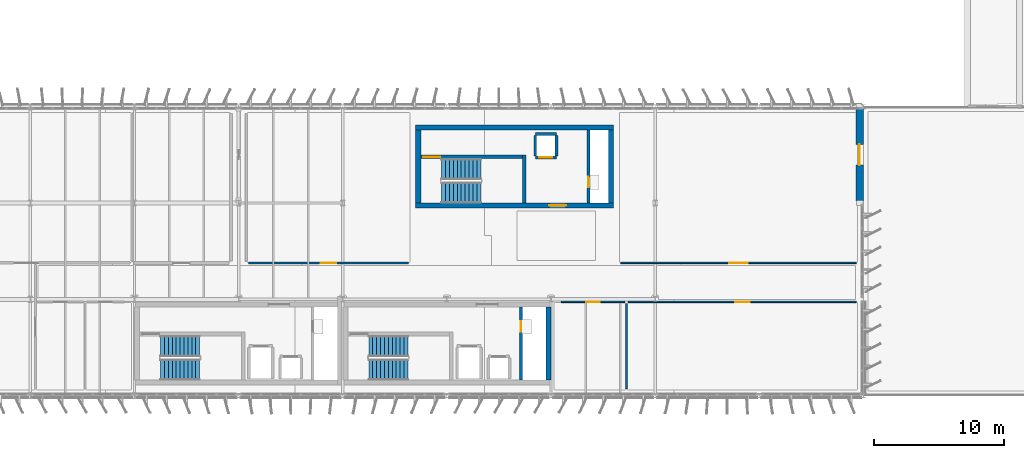
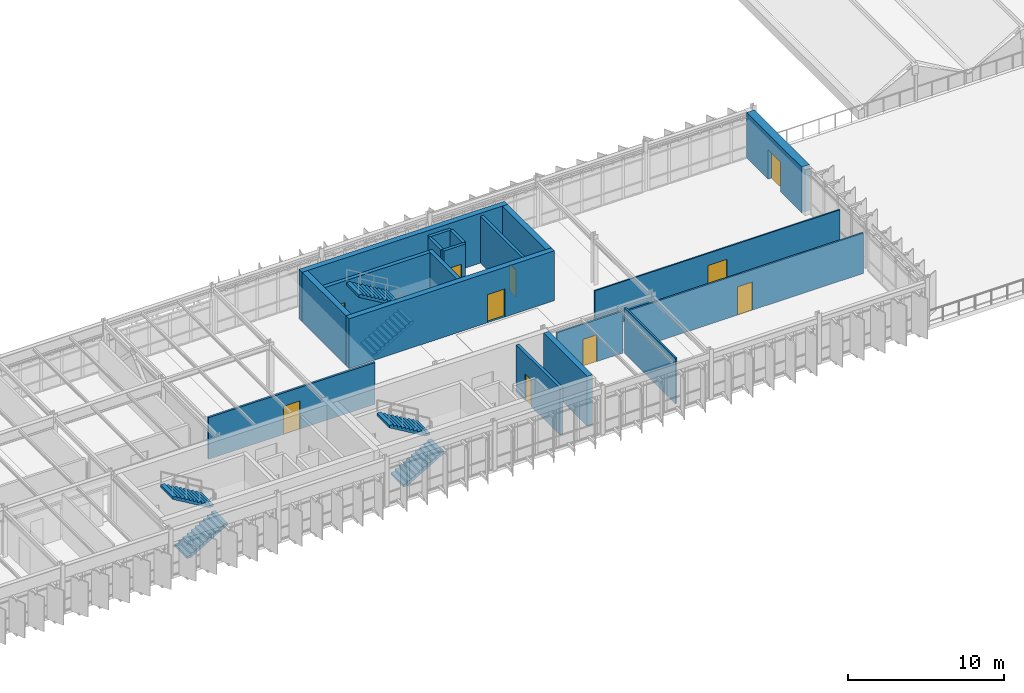
# One storey, part 28 of 35: 19 walls, 10 doors, 6 stair flights, 10 openings, 3 elements without a shape of their own.
"""IFC4 building model written with IfcOpenShell, lengths in metres."""

from ifc_helpers import new_model, si_unit, direction, frame, frame_2d, origin, place, context, subcontext, project, spatial, polyline, rectangle, outline, extrude, material, layer, layer_set, type_object, element, fill, aggregate, save


model = new_model("IFC4")

# Units and contexts
model_context = context("Model", 3, precision=1e-05, world=origin(), true_north=direction((0.0, 1.0)))
body_context = subcontext(model_context, "Body", "Model", "MODEL_VIEW")
ifc_project = project(units=[si_unit("LENGTHUNIT", "METRE"), si_unit("AREAUNIT", "SQUARE_METRE"), si_unit("VOLUMEUNIT", "CUBIC_METRE"), si_unit("PLANEANGLEUNIT", "RADIAN"), si_unit("MASSUNIT", "GRAM", prefix="KILO")], contexts=[model_context])

# Site, building, storey
site_placement = place(None, origin())
site = spatial("IfcSite", under=ifc_project, at=site_placement, CompositionType="ELEMENT")
building_placement = place(site_placement, origin())
building = spatial("IfcBuilding", under=site, at=building_placement, Name="Valkorina Park Police Headquarters", CompositionType="ELEMENT")
storey_placement = place(building_placement, frame((0.0, 0.0, 27.199951171875)))
storey = spatial("IfcBuildingStorey", under=building, at=storey_placement, Name="L07", CompositionType="ELEMENT", Elevation=27.199951171875)

# Wall, opening, door
ifc_material_1 = material(Name="Acoustic mineral board")
ifc_layer_1 = layer(ifc_material_1, 0.14990234375)
ifc_layer_set_1 = layer_set([ifc_layer_1], Name="Acoustic mineral board")
wall_type_1 = type_object("IfcWallType", Name="WL-ACOUST-150-EI30", PredefinedType="PARTITIONING", material=ifc_layer_set_1)
wall_1_placement = place(storey_placement, frame((25.5400390625, 47.199951171875, 0.0), z_axis=(0.0, 0.0, 1.0), x_axis=(1.0, 0.0, 0.0)))
wall_1 = element("IfcWall", 1, at=wall_1_placement, inside=storey, type_object=wall_type_1, Name="L07 Interior Partition 0262 (L07-TSK-03)", PredefinedType="PARTITIONING", context=body_context, shape_type="SweptSolid", body=[
    extrude(rectangle(XDim=12.320068359375, YDim=0.14990234375, at=frame_2d((6.16015625, 0.0))), origin(), (0.0, 0.0, 1.0), 3.260009765625),
])
opening_1_placement = place(wall_1_placement, frame((5.56005859375, 0.0, 0.0)))
opening_1 = element("IfcOpeningElement", 2, at=opening_1_placement, cuts=wall_1, Name="Opening ID-06", PredefinedType="OPENING", context=body_context, shape_type="SweptSolid", body=[
    extrude(rectangle(XDim=1.199951171875, YDim=2.199951171875, at=frame_2d((0.60009765625, 1.10009765625))), frame((0.0, 0.0849609375, 0.0), z_axis=(0.0, -1.0, 0.0), x_axis=(1.0, 0.0, 0.0)), (0.0, 0.0, 1.0), 0.169921875),
])
ifc_material_2 = material(Name="Thermally broken aluminium AW-6060", Category="aluminium")
ifc_layer_2 = layer(ifc_material_2, 0.050048828125)
ifc_layer_set_2 = layer_set([ifc_layer_2], Name="Thermally broken aluminium AW-6060")
door_type_1 = type_object("IfcDoorType", Name="DR-INT-LAB-1200x2200", OperationType="NOTDEFINED", PredefinedType="DOOR", material=ifc_layer_set_2)
door_1_placement = place(opening_1_placement, origin())
door_1 = element("IfcDoor", 3, at=door_1_placement, inside=storey, type_object=door_type_1, Name="Door D-L07-I127 (L07-TSK-03)", OperationType="SINGLE_SWING_RIGHT", OverallHeight=2.199951171875, OverallWidth=1.199951171875, PredefinedType="DOOR", context=body_context, shape_type="SweptSolid", body=[
    extrude(rectangle(XDim=1.199951171875, YDim=2.199951171875, at=frame_2d((0.60009765625, 1.10009765625))), frame((0.0, 0.02490234375, 0.0), z_axis=(0.0, -1.0, 0.0), x_axis=(1.0, 0.0, 0.0)), (0.0, 0.0, 1.0), 0.050048828125),
])
fill(opening_1, door_1)

ifc_material_3 = material(Name="Autoclaved aerated concrete masonry", Category="masonry")
ifc_layer_3 = layer(ifc_material_3, 0.219970703125)
ifc_layer_set_3 = layer_set([ifc_layer_3], Name="Autoclaved aerated concrete masonry")
wall_type_2 = type_object("IfcWallType", Name="WL-CHASE-220-EI60", PredefinedType="PLUMBINGWALL", material=ifc_layer_set_3)
wall_2_placement = place(storey_placement, frame((46.489990234375, 38.199951171875, 0.0), z_axis=(0.0, 0.0, 1.0), x_axis=(0.0, 1.0, 0.0)))
wall_2 = element("IfcWall", 4, at=wall_2_placement, inside=storey, type_object=wall_type_2, Name="Core C2 L07 Riser Shaft West Wall", PredefinedType="PLUMBINGWALL", context=body_context, shape_type="SweptSolid", body=[
    extrude(rectangle(XDim=5.60009765625, YDim=0.219970703125, at=frame_2d((2.800048828125, 0.0))), origin(), (0.0, 0.0, 1.0), 3.679931640625),
])
opening_2_placement = place(wall_2_placement, frame((3.699951171875, 0.0, 0.0)))
opening_2 = element("IfcOpeningElement", 5, at=opening_2_placement, cuts=wall_2, Name="Opening ID-01", PredefinedType="OPENING", context=body_context, shape_type="SweptSolid", body=[
    extrude(rectangle(XDim=0.800048828125, YDim=2.10009765625, at=frame_2d((0.39990234375, 1.050048828125))), frame((0.0, 0.1201171875, 0.0), z_axis=(0.0, -1.0, 0.0), x_axis=(1.0, 0.0, 0.0)), (0.0, 0.0, 1.0), 0.239990234375),
])
ifc_material_4 = material(Name="Galvanized steel door leaf", Category="steel")
ifc_layer_4 = layer(ifc_material_4, 0.050048828125)
ifc_layer_set_4 = layer_set([ifc_layer_4], Name="Galvanized steel door leaf")
door_type_2 = type_object("IfcDoorType", Name="DR-INT-RISER-800x2100", OperationType="NOTDEFINED", PredefinedType="DOOR", material=ifc_layer_set_4)
door_2_placement = place(opening_2_placement, origin())
door_2 = element("IfcDoor", 6, at=door_2_placement, inside=storey, type_object=door_type_2, Name="Riser Shaft Access Door C2-L07", OperationType="SINGLE_SWING_LEFT", OverallHeight=2.10009765625, OverallWidth=0.800048828125, PredefinedType="DOOR", context=body_context, shape_type="SweptSolid", body=[
    extrude(rectangle(XDim=0.800048828125, YDim=2.10009765625, at=frame_2d((0.39990234375, 1.050048828125))), frame((0.0, 0.02490234375, 0.0), z_axis=(0.0, -1.0, 0.0), x_axis=(1.0, 0.0, 0.0)), (0.0, 0.0, 1.0), 0.050048828125),
])
fill(opening_2, door_2)

wall_3_placement = place(storey_placement, frame((47.590087890625, 55.2900390625, 0.0), z_axis=(0.0, 0.0, 1.0), x_axis=(1.0, 0.0, 0.0)))
wall_3 = element("IfcWall", 7, at=wall_3_placement, inside=storey, type_object=wall_type_2, Name="Lift LF-05 L07 Shaft Front Wall", PredefinedType="PLUMBINGWALL", context=body_context, shape_type="SweptSolid", body=[
    extrude(rectangle(XDim=1.619873046875, YDim=0.219970703125, at=frame_2d((0.81005859375, 0.0))), origin(), (0.0, 0.0, 1.0), 3.679931640625),
])
opening_3_placement = place(wall_3_placement, frame((0.31005859375, 0.0, 0.0)))
opening_3 = element("IfcOpeningElement", 8, at=opening_3_placement, cuts=wall_3, Name="Opening LD-02", PredefinedType="OPENING", context=body_context, shape_type="SweptSolid", body=[
    extrude(rectangle(XDim=1.0, YDim=2.199951171875, at=frame_2d((0.5, 1.10009765625))), frame((0.0, 0.1201171875, 0.0), z_axis=(0.0, -1.0, 0.0), x_axis=(1.0, 0.0, 0.0)), (0.0, 0.0, 1.0), 0.239990234375),
])
ifc_material_5 = material(Name="Stainless steel EN 1.4404", Category="steel")
ifc_layer_5 = layer(ifc_material_5, 0.050048828125)
ifc_layer_set_5 = layer_set([ifc_layer_5], Name="Stainless steel EN 1.4404")
door_type_3 = type_object("IfcDoorType", Name="DR-LIFT-PAX-1000x2200", OperationType="NOTDEFINED", PredefinedType="DOOR", material=ifc_layer_set_5)
door_3_placement = place(opening_3_placement, origin())
door_3 = element("IfcDoor", 9, at=door_3_placement, inside=storey, type_object=door_type_3, Name="Lift Landing Door LF-05-L07", OperationType="DOUBLE_DOOR_SLIDING", OverallHeight=2.199951171875, OverallWidth=1.0, PredefinedType="DOOR", context=body_context, shape_type="SweptSolid", body=[
    extrude(rectangle(XDim=1.0, YDim=2.199951171875, at=frame_2d((0.5, 1.10009765625))), frame((0.0, 0.02490234375, 0.0), z_axis=(0.0, -1.0, 0.0), x_axis=(1.0, 0.0, 0.0)), (0.0, 0.0, 1.0), 0.050048828125),
])
fill(opening_3, door_3)

# Walls
wall_4_placement = place(storey_placement, frame((47.590087890625, 57.110107421875, 0.0), z_axis=(0.0, 0.0, 1.0), x_axis=(1.0, 0.0, 0.0)))
element("IfcWall", 10, at=wall_4_placement, inside=storey, type_object=wall_type_2, Name="Lift LF-05 L07 Shaft Back Wall", PredefinedType="PLUMBINGWALL", context=body_context, shape_type="SweptSolid", body=[
    extrude(rectangle(XDim=1.619873046875, YDim=0.219970703125, at=frame_2d((0.81005859375, 0.0))), origin(), (0.0, 0.0, 1.0), 3.679931640625),
])
for number, where, z_axis, x_axis, name in (
    (11, (47.590087890625, 55.39990234375, 0.0), (0.0, 0.0, 1.0), (0.0, 1.0, 0.0), "Lift LF-05 L07 Shaft Side Wall W"),
    (12, (49.2099609375, 55.39990234375, 0.0), (0.0, 0.0, 1.0), (0.0, 1.0, 0.0), "Lift LF-05 L07 Shaft Side Wall E"),
):
    element("IfcWall", number, at=place(storey_placement, frame(where, z_axis=z_axis, x_axis=x_axis)), inside=storey, type_object=wall_type_2, Name=name, PredefinedType="PLUMBINGWALL", context=body_context, shape_type="SweptSolid", body=[
        extrude(rectangle(XDim=1.60009765625, YDim=0.219970703125, at=frame_2d((0.800048828125, 0.0))), origin(), (0.0, 0.0, 1.0), 3.679931640625),
    ])

# Wall, opening, door
wall_5_placement = place(storey_placement, frame((51.68994140625, 51.800048828125, 0.0), z_axis=(0.0, 0.0, 1.0), x_axis=(0.0, 1.0, 0.0)))
wall_5 = element("IfcWall", 13, at=wall_5_placement, inside=storey, type_object=wall_type_2, Name="Core C3 L07 Riser Shaft West Wall", PredefinedType="PLUMBINGWALL", context=body_context, shape_type="SweptSolid", body=[
    extrude(rectangle(XDim=5.599853515625, YDim=0.219970703125, at=frame_2d((2.7998046875, 0.0))), origin(), (0.0, 0.0, 1.0), 3.679931640625),
])
opening_4_placement = place(wall_5_placement, frame((1.199951171875, 0.0, 0.0)))
opening_4 = element("IfcOpeningElement", 14, at=opening_4_placement, cuts=wall_5, Name="Opening ID-01", PredefinedType="OPENING", context=body_context, shape_type="SweptSolid", body=[
    extrude(rectangle(XDim=0.800048828125, YDim=2.10009765625, at=frame_2d((0.39990234375, 1.050048828125))), frame((0.0, 0.1201171875, 0.0), z_axis=(0.0, -1.0, 0.0), x_axis=(1.0, 0.0, 0.0)), (0.0, 0.0, 1.0), 0.239990234375),
])
door_4_placement = place(opening_4_placement, origin())
door_4 = element("IfcDoor", 15, at=door_4_placement, inside=storey, type_object=door_type_2, Name="Riser Shaft Access Door C3-L07", OperationType="SINGLE_SWING_RIGHT", OverallHeight=2.10009765625, OverallWidth=0.800048828125, PredefinedType="DOOR", context=body_context, shape_type="SweptSolid", body=[
    extrude(rectangle(XDim=0.800048828125, YDim=2.10009765625, at=frame_2d((0.39990234375, 1.050048828125))), frame((0.0, 0.02490234375, 0.0), z_axis=(0.0, -1.0, 0.0), x_axis=(1.0, 0.0, 0.0)), (0.0, 0.0, 1.0), 0.050048828125),
])
fill(opening_4, door_4)

# Wall
ifc_material_6 = material(Name="Concrete C40/50", Category="concrete")
ifc_layer_6 = layer(ifc_material_6, 0.39990234375)
ifc_layer_set_6 = layer_set([ifc_layer_6], Name="Concrete C40/50")
wall_type_3 = type_object("IfcWallType", Name="WL-CORE-400-REI180", PredefinedType="SHEAR", material=ifc_layer_set_6)
wall_6_placement = place(storey_placement, frame((48.60009765625, 38.199951171875, 0.0), z_axis=(0.0, 0.0, 1.0), x_axis=(0.0, 1.0, 0.0)))
element("IfcWall", 16, at=wall_6_placement, inside=storey, type_object=wall_type_3, Name="Core C2 L07 Shear Wall E", PredefinedType="SHEAR", context=body_context, shape_type="SweptSolid", body=[
    extrude(rectangle(XDim=5.60009765625, YDim=0.39990234375, at=frame_2d((2.800048828125, 0.0))), origin(), (0.0, 0.0, 1.0), 3.89501953125),
])

# Wall, opening, door
wall_7_placement = place(storey_placement, frame((38.39990234375, 51.60009765625, 0.0), z_axis=(0.0, 0.0, 1.0), x_axis=(1.0, 0.0, 0.0)))
wall_7 = element("IfcWall", 17, at=wall_7_placement, inside=storey, type_object=wall_type_3, Name="Core C3 L07 Shear Wall S", PredefinedType="SHEAR", context=body_context, shape_type="SweptSolid", body=[
    extrude(rectangle(XDim=15.2001953125, YDim=0.39990234375, at=frame_2d((7.60009765625, 0.0))), origin(), (0.0, 0.0, 1.0), 3.89501953125),
])
opening_5_placement = place(wall_7_placement, frame((10.25, 0.0, 0.0)))
opening_5 = element("IfcOpeningElement", 18, at=opening_5_placement, cuts=wall_7, Name="Opening FD-03", PredefinedType="OPENING", context=body_context, shape_type="SweptSolid", body=[
    extrude(rectangle(XDim=1.300048828125, YDim=2.199951171875, at=frame_2d((0.64990234375, 1.10009765625))), frame((0.0, 0.2099609375, 0.0), z_axis=(0.0, -1.0, 0.0), x_axis=(1.0, 0.0, 0.0)), (0.0, 0.0, 1.0), 0.419921875),
])
ifc_layer_7 = layer(ifc_material_4, 0.050048828125)
ifc_layer_set_7 = layer_set([ifc_layer_7], Name="Galvanized steel door leaf")
door_type_4 = type_object("IfcDoorType", Name="DR-FIRE-STAIR-1300x2200", OperationType="NOTDEFINED", PredefinedType="DOOR", material=ifc_layer_set_7)
door_5_placement = place(opening_5_placement, origin())
door_5 = element("IfcDoor", 19, at=door_5_placement, inside=storey, type_object=door_type_4, Name="Door D-L07-LBY-C3 (Core C3 Lobby Fire Door)", OperationType="SINGLE_SWING_LEFT", OverallHeight=2.199951171875, OverallWidth=1.300048828125, PredefinedType="DOOR", context=body_context, shape_type="SweptSolid", body=[
    extrude(rectangle(XDim=1.300048828125, YDim=2.199951171875, at=frame_2d((0.64990234375, 1.10009765625))), frame((0.0, 0.02490234375, 0.0), z_axis=(0.0, -1.0, 0.0), x_axis=(1.0, 0.0, 0.0)), (0.0, 0.0, 1.0), 0.050048828125),
])
fill(opening_5, door_5)

# Walls
wall_8_placement = place(storey_placement, frame((38.39990234375, 57.60009765625, 0.0), z_axis=(0.0, 0.0, 1.0), x_axis=(1.0, 0.0, 0.0)))
element("IfcWall", 20, at=wall_8_placement, inside=storey, type_object=wall_type_3, Name="Core C3 L07 Shear Wall N", PredefinedType="SHEAR", context=body_context, shape_type="SweptSolid", body=[
    extrude(rectangle(XDim=15.2001953125, YDim=0.39990234375, at=frame_2d((7.60009765625, 0.0))), origin(), (0.0, 0.0, 1.0), 3.89501953125),
])
for number, where, z_axis, x_axis, name in (
    (21, (38.60009765625, 51.800048828125, 0.0), (0.0, 0.0, 1.0), (0.0, 1.0, 0.0), "Core C3 L07 Shear Wall W"),
    (22, (53.39990234375, 51.800048828125, 0.0), (0.0, 0.0, 1.0), (0.0, 1.0, 0.0), "Core C3 L07 Shear Wall E"),
):
    element("IfcWall", number, at=place(storey_placement, frame(where, z_axis=z_axis, x_axis=x_axis)), inside=storey, type_object=wall_type_3, Name=name, PredefinedType="SHEAR", context=body_context, shape_type="SweptSolid", body=[
        extrude(rectangle(XDim=5.599853515625, YDim=0.39990234375, at=frame_2d((2.7998046875, 0.0))), origin(), (0.0, 0.0, 1.0), 3.89501953125),
    ])

# Wall, opening, door
ifc_material_7 = material(Name="Concrete C35/45", Category="concrete")
ifc_layer_8 = layer(ifc_material_7, 0.580078125)
ifc_layer_set_8 = layer_set([ifc_layer_8], Name="Concrete C35/45")
wall_type_4 = type_object("IfcWallType", Name="WL-EXT-BOARD-580", PredefinedType="STANDARD", material=ifc_layer_set_8)
wall_9_placement = place(storey_placement, frame((72.510009765625, 59.0400390625, 0.0), z_axis=(0.0, 0.0, 1.0), x_axis=(0.0, -1.0, 0.0)))
wall_9 = element("IfcWall", 23, at=wall_9_placement, inside=storey, type_object=wall_type_4, Name="L07 Architectural Concrete Exterior Wall 0276", PredefinedType="STANDARD", context=body_context, shape_type="SweptSolid", body=[
    extrude(rectangle(XDim=7.070068359375, YDim=0.580078125, at=frame_2d((3.53515625, 0.0))), origin(), (0.0, 0.0, 1.0), 3.570068359375),
])
opening_6_placement = place(wall_9_placement, frame((2.735107421875, 0.0, 0.0)))
opening_6 = element("IfcOpeningElement", 24, at=opening_6_placement, cuts=wall_9, Name="Opening ED-05", PredefinedType="OPENING", context=body_context, shape_type="SweptSolid", body=[
    extrude(rectangle(XDim=1.60009765625, YDim=2.300048828125, at=frame_2d((0.800048828125, 1.14990234375))), frame((0.0, 0.300048828125, 0.0), z_axis=(0.0, -1.0, 0.0), x_axis=(1.0, 0.0, 0.0)), (0.0, 0.0, 1.0), 0.60009765625),
])
ifc_layer_9 = layer(ifc_material_2, 0.050048828125)
ifc_layer_set_9 = layer_set([ifc_layer_9], Name="Thermally broken aluminium AW-6060")
door_type_5 = type_object("IfcDoorType", Name="DR-EXT-TERR-1600x2300", OperationType="NOTDEFINED", PredefinedType="DOOR", material=ifc_layer_set_9)
door_6_placement = place(opening_6_placement, origin())
door_6 = element("IfcDoor", 25, at=door_6_placement, inside=storey, type_object=door_type_5, Name="Door D-L07-024 (TERR-L07-EAST Terrace Door)", OperationType="DOUBLE_DOOR_SINGLE_SWING", OverallHeight=2.300048828125, OverallWidth=1.60009765625, PredefinedType="DOOR", context=body_context, shape_type="SweptSolid", body=[
    extrude(rectangle(XDim=1.60009765625, YDim=2.300048828125, at=frame_2d((0.800048828125, 1.14990234375))), frame((0.0, 0.02490234375, 0.0), z_axis=(0.0, -1.0, 0.0), x_axis=(1.0, 0.0, 0.0)), (0.0, 0.0, 1.0), 0.050048828125),
])
fill(opening_6, door_6)

ifc_material_8 = material(Name="Gypsum plasterboard")
ifc_layer_10 = layer(ifc_material_8, 0.10009765625)
ifc_layer_set_10 = layer_set([ifc_layer_10], Name="Gypsum plasterboard")
wall_type_5 = type_object("IfcWallType", Name="WL-PART-100", PredefinedType="PARTITIONING", material=ifc_layer_set_10)
wall_10_placement = place(storey_placement, frame((54.139892578125, 47.199951171875, 0.0), z_axis=(0.0, 0.0, 1.0), x_axis=(1.0, 0.0, 0.0)))
wall_10 = element("IfcWall", 26, at=wall_10_placement, inside=storey, type_object=wall_type_5, Name="L07 Interior Partition 0271 (L07-TSK-07)", PredefinedType="PARTITIONING", context=body_context, shape_type="SweptSolid", body=[
    extrude(rectangle(XDim=18.1201171875, YDim=0.10009765625, at=frame_2d((9.06005859375, 0.0))), origin(), (0.0, 0.0, 1.0), 3.150146484375),
])
opening_7_placement = place(wall_10_placement, frame((8.360107421875, 0.0, 0.0)))
opening_7 = element("IfcOpeningElement", 27, at=opening_7_placement, cuts=wall_10, Name="Opening ID-07", PredefinedType="OPENING", context=body_context, shape_type="SweptSolid", body=[
    extrude(rectangle(XDim=1.39990234375, YDim=2.199951171875, at=frame_2d((0.699951171875, 1.10009765625))), frame((0.0, 0.06005859375, 0.0), z_axis=(0.0, -1.0, 0.0), x_axis=(1.0, 0.0, 0.0)), (0.0, 0.0, 1.0), 0.1201171875),
])
ifc_layer_11 = layer(ifc_material_2, 0.050048828125)
ifc_layer_set_11 = layer_set([ifc_layer_11], Name="Thermally broken aluminium AW-6060")
door_type_6 = type_object("IfcDoorType", Name="DR-INT-CONF-1400x2200", OperationType="NOTDEFINED", PredefinedType="DOOR", material=ifc_layer_set_11)
door_7_placement = place(opening_7_placement, origin())
door_7 = element("IfcDoor", 28, at=door_7_placement, inside=storey, type_object=door_type_6, Name="Door D-L07-I133 (L07-TSK-07)", OperationType="SINGLE_SWING_RIGHT", OverallHeight=2.199951171875, OverallWidth=1.39990234375, PredefinedType="DOOR", context=body_context, shape_type="SweptSolid", body=[
    extrude(rectangle(XDim=1.39990234375, YDim=2.199951171875, at=frame_2d((0.699951171875, 1.10009765625))), frame((0.0, 0.02490234375, 0.0), z_axis=(0.0, -1.0, 0.0), x_axis=(1.0, 0.0, 0.0)), (0.0, 0.0, 1.0), 0.050048828125),
])
fill(opening_7, door_7)

ifc_layer_12 = layer(ifc_material_8, 0.125)
ifc_layer_set_12 = layer_set([ifc_layer_12], Name="Gypsum plasterboard")
wall_type_6 = type_object("IfcWallType", Name="WL-PART-125-EI30", PredefinedType="PARTITIONING", material=ifc_layer_set_12)
wall_11_placement = place(storey_placement, frame((49.590087890625, 44.199951171875, 0.0), z_axis=(0.0, 0.0, 1.0), x_axis=(1.0, 0.0, 0.0)))
wall_11 = element("IfcWall", 29, at=wall_11_placement, inside=storey, type_object=wall_type_6, Name="L07 Interior Partition 0268 (L07-WC-A)", PredefinedType="PARTITIONING", context=body_context, shape_type="SweptSolid", body=[
    extrude(rectangle(XDim=4.869873046875, YDim=0.125, at=frame_2d((2.43505859375, 0.0))), origin(), (0.0, 0.0, 1.0), 3.280029296875),
])
opening_8_placement = place(wall_11_placement, frame((1.909912109375, 0.0, 0.0)))
opening_8 = element("IfcOpeningElement", 30, at=opening_8_placement, cuts=wall_11, Name="Opening ID-03", PredefinedType="OPENING", context=body_context, shape_type="SweptSolid", body=[
    extrude(rectangle(XDim=1.050048828125, YDim=2.10009765625, at=frame_2d((0.52490234375, 1.050048828125))), frame((0.0, 0.072509765625, 0.0), z_axis=(0.0, -1.0, 0.0), x_axis=(1.0, 0.0, 0.0)), (0.0, 0.0, 1.0), 0.14501953125),
])
ifc_layer_13 = layer(ifc_material_2, 0.050048828125)
ifc_layer_set_13 = layer_set([ifc_layer_13], Name="Thermally broken aluminium AW-6060")
door_type_7 = type_object("IfcDoorType", Name="DR-INT-ACC-1050x2100", OperationType="NOTDEFINED", PredefinedType="DOOR", material=ifc_layer_set_13)
door_8_placement = place(opening_8_placement, origin())
door_8 = element("IfcDoor", 31, at=door_8_placement, inside=storey, type_object=door_type_7, Name="Door D-L07-I131 (L07-WC-A)", OperationType="SINGLE_SWING_RIGHT", OverallHeight=2.10009765625, OverallWidth=1.050048828125, PredefinedType="DOOR", context=body_context, shape_type="SweptSolid", body=[
    extrude(rectangle(XDim=1.050048828125, YDim=2.10009765625, at=frame_2d((0.52490234375, 1.050048828125))), frame((0.0, 0.02490234375, 0.0), z_axis=(0.0, -1.0, 0.0), x_axis=(1.0, 0.0, 0.0)), (0.0, 0.0, 1.0), 0.050048828125),
])
fill(opening_8, door_8)

# Wall
wall_12_placement = place(storey_placement, frame((54.60009765625, 37.5400390625, 0.0), z_axis=(0.0, 0.0, 1.0), x_axis=(0.0, 1.0, 0.0)))
element("IfcWall", 32, at=wall_12_placement, inside=storey, type_object=wall_type_6, Name="L07 Interior Partition 0269 (L07-WC-A)", PredefinedType="PARTITIONING", context=body_context, shape_type="SweptSolid", body=[
    extrude(rectangle(XDim=6.52001953125, YDim=0.125, at=frame_2d((3.260009765625, 0.0))), origin(), (0.0, 0.0, 1.0), 3.570068359375),
])

# Wall, opening, door
wall_13_placement = place(storey_placement, frame((54.739990234375, 44.199951171875, 0.0), z_axis=(0.0, 0.0, 1.0), x_axis=(1.0, 0.0, 0.0)))
wall_13 = element("IfcWall", 33, at=wall_13_placement, inside=storey, type_object=wall_type_6, Name="L07 Interior Partition 0270 (L07-TSK-06)", PredefinedType="PARTITIONING", context=body_context, shape_type="SweptSolid", body=[
    extrude(rectangle(XDim=17.52001953125, YDim=0.125, at=frame_2d((8.760009765625, 0.0))), origin(), (0.0, 0.0, 1.0), 3.150146484375),
])
opening_9_placement = place(wall_13_placement, frame((8.2099609375, 0.0, 0.0)))
opening_9 = element("IfcOpeningElement", 34, at=opening_9_placement, cuts=wall_13, Name="Opening ID-05", PredefinedType="OPENING", context=body_context, shape_type="SweptSolid", body=[
    extrude(rectangle(XDim=1.10009765625, YDim=2.199951171875, at=frame_2d((0.550048828125, 1.10009765625))), frame((0.0, 0.072509765625, 0.0), z_axis=(0.0, -1.0, 0.0), x_axis=(1.0, 0.0, 0.0)), (0.0, 0.0, 1.0), 0.14501953125),
])
ifc_layer_14 = layer(ifc_material_2, 0.050048828125)
ifc_layer_set_14 = layer_set([ifc_layer_14], Name="Thermally broken aluminium AW-6060")
door_type_8 = type_object("IfcDoorType", Name="DR-INT-INV-1100x2200", OperationType="NOTDEFINED", PredefinedType="DOOR", material=ifc_layer_set_14)
door_9_placement = place(opening_9_placement, origin())
door_9 = element("IfcDoor", 35, at=door_9_placement, inside=storey, type_object=door_type_8, Name="Door D-L07-I132 (L07-TSK-06)", OperationType="SINGLE_SWING_LEFT", OverallHeight=2.199951171875, OverallWidth=1.10009765625, PredefinedType="DOOR", context=body_context, shape_type="SweptSolid", body=[
    extrude(rectangle(XDim=1.10009765625, YDim=2.199951171875, at=frame_2d((0.550048828125, 1.10009765625))), frame((0.0, 0.02490234375, 0.0), z_axis=(0.0, -1.0, 0.0), x_axis=(1.0, 0.0, 0.0)), (0.0, 0.0, 1.0), 0.050048828125),
])
fill(opening_9, door_9)

# Wall
ifc_layer_15 = layer(ifc_material_6, 0.280029296875)
ifc_layer_set_15 = layer_set([ifc_layer_15], Name="Concrete C40/50")
wall_type_7 = type_object("IfcWallType", Name="WL-STAIR-280-REI120", PredefinedType="SHEAR", material=ifc_layer_set_15)
wall_14_placement = place(storey_placement, frame((46.739990234375, 51.800048828125, 0.0), z_axis=(0.0, 0.0, 1.0), x_axis=(0.0, 1.0, 0.0)))
element("IfcWall", 36, at=wall_14_placement, inside=storey, type_object=wall_type_7, Name="Core C3 L07 Shear Wall DIV", PredefinedType="SHEAR", context=body_context, shape_type="SweptSolid", body=[
    extrude(rectangle(XDim=3.679931640625, YDim=0.280029296875, at=frame_2d((1.83984375, 0.0))), origin(), (0.0, 0.0, 1.0), 3.89501953125),
])

# Wall, opening, door
wall_15_placement = place(storey_placement, frame((38.800048828125, 55.340087890625, 0.0), z_axis=(0.0, 0.0, 1.0), x_axis=(1.0, 0.0, 0.0)))
wall_15 = element("IfcWall", 37, at=wall_15_placement, inside=storey, type_object=wall_type_7, Name="Core C3 L07 Shear Wall SIDE", PredefinedType="SHEAR", context=body_context, shape_type="SweptSolid", body=[
    extrude(rectangle(XDim=7.800048828125, YDim=0.280029296875, at=frame_2d((3.89990234375, 0.0))), origin(), (0.0, 0.0, 1.0), 3.89501953125),
])
opening_10_placement = place(wall_15_placement, frame((0.199951171875, 0.0, 0.0)))
opening_10 = element("IfcOpeningElement", 38, at=opening_10_placement, cuts=wall_15, Name="Opening FD-03", PredefinedType="OPENING", context=body_context, shape_type="SweptSolid", body=[
    extrude(rectangle(XDim=1.300048828125, YDim=2.199951171875, at=frame_2d((0.64990234375, 1.10009765625))), frame((0.0, 0.14990234375, 0.0), z_axis=(0.0, -1.0, 0.0), x_axis=(1.0, 0.0, 0.0)), (0.0, 0.0, 1.0), 0.300048828125),
])
door_10_placement = place(opening_10_placement, origin())
door_10 = element("IfcDoor", 39, at=door_10_placement, inside=storey, type_object=door_type_4, Name="Door D-L07-C119 (ST-03 Stair Fire Door)", OperationType="SINGLE_SWING_RIGHT", OverallHeight=2.199951171875, OverallWidth=1.300048828125, PredefinedType="DOOR", context=body_context, shape_type="SweptSolid", body=[
    extrude(rectangle(XDim=1.300048828125, YDim=2.199951171875, at=frame_2d((0.64990234375, 1.10009765625))), frame((0.0, 0.02490234375, 0.0), z_axis=(0.0, -1.0, 0.0), x_axis=(1.0, 0.0, 0.0)), (0.0, 0.0, 1.0), 0.050048828125),
])
fill(opening_10, door_10)

# Stair, stair flights
stair_type = type_object("IfcStairType", Name="ST-DOGLEG-160-39", PredefinedType="HALF_TURN_STAIR", material=ifc_material_7)
stair_1_placement = place(storey_placement, origin())
stair_1 = element("IfcStair", 40, at=stair_1_placement, inside=storey, type_object=stair_type, Name="L07 Core C1 Protected Stair (ST-07)", PredefinedType="HALF_TURN_STAIR")
stair_flight_type = type_object("IfcStairFlightType", Name="STF-STRAIGHT-160-39", PredefinedType="STRAIGHT", material=ifc_material_7)
stair_flight_1_placement = place(storey_placement, frame((18.800048828125, 39.0, 0.0), z_axis=(0.0, 0.0, 1.0), x_axis=(1.0, 0.0, 0.0)))
stair_flight_1 = element("IfcStairFlight", 41, at=stair_flight_1_placement, type_object=stair_flight_type, Name="ST-07 flight 1", NumberOfRisers=11, NumberOfTreads=10, PredefinedType="STRAIGHT", RiserHeight=0.177272727, TreadLength=0.3, context=body_context, shape_type="SweptSolid", body=[
    extrude(outline(polyline([(0.0, 0.0), (0.0, 0.17724609375), (0.300048828125, 0.17724609375), (0.300048828125, 0.3544921875), (0.60009765625, 0.3544921875), (0.60009765625, 0.53173828125), (0.89990234375, 0.53173828125), (0.89990234375, 0.708984375), (1.199951171875, 0.708984375), (1.199951171875, 0.886474609375), (1.5, 0.886474609375), (1.5, 1.063720703125), (1.800048828125, 1.063720703125), (1.800048828125, 1.240966796875), (2.10009765625, 1.240966796875), (2.10009765625, 1.418212890625), (2.39990234375, 1.418212890625), (2.39990234375, 1.595458984375), (2.699951171875, 1.595458984375), (2.699951171875, 1.772705078125), (3.0, 1.772705078125), (3.0, 1.949951171875), (3.0, 1.5869140625), (0.314453125, 0.0), (0.0, 0.0)])), frame((0.0, 0.800048828125, 0.0), z_axis=(0.0, -1.0, 0.0), x_axis=(1.0, 0.0, 0.0)), (0.0, 0.0, 1.0), 1.60009765625),
])
stair_flight_2_placement = place(storey_placement, frame((21.800048828125, 40.800048828125, 1.949951171875), z_axis=(0.0, 0.0, 1.0), x_axis=(-1.0, 0.0, 0.0)))
stair_flight_2 = element("IfcStairFlight", 42, at=stair_flight_2_placement, type_object=stair_flight_type, Name="ST-07 flight 2", NumberOfRisers=11, NumberOfTreads=10, PredefinedType="STRAIGHT", RiserHeight=0.177272727, TreadLength=0.3, context=body_context, shape_type="SweptSolid", body=[
    extrude(outline(polyline([(0.0, 0.0), (0.0, 0.17724609375), (0.300048828125, 0.17724609375), (0.300048828125, 0.3544921875), (0.60009765625, 0.3544921875), (0.60009765625, 0.53173828125), (0.89990234375, 0.53173828125), (0.89990234375, 0.708984375), (1.199951171875, 0.708984375), (1.199951171875, 0.886474609375), (1.5, 0.886474609375), (1.5, 1.063720703125), (1.800048828125, 1.063720703125), (1.800048828125, 1.240966796875), (2.10009765625, 1.240966796875), (2.10009765625, 1.418212890625), (2.39990234375, 1.418212890625), (2.39990234375, 1.595458984375), (2.699951171875, 1.595458984375), (2.699951171875, 1.772705078125), (3.0, 1.772705078125), (3.0, 1.949951171875), (3.0, 1.5869140625), (0.314453125, 0.0), (0.0, 0.0)])), frame((0.0, 0.800048828125, 0.0), z_axis=(0.0, -1.0, 0.0), x_axis=(1.0, 0.0, 0.0)), (0.0, 0.0, 1.0), 1.60009765625),
])
aggregate(stair_1, [stair_flight_1, stair_flight_2])

stair_2_placement = place(storey_placement, origin())
stair_2 = element("IfcStair", 43, at=stair_2_placement, inside=storey, type_object=stair_type, Name="L07 Core C2 Protected Stair (ST-07)", PredefinedType="HALF_TURN_STAIR")
stair_flight_3_placement = place(storey_placement, frame((34.800048828125, 39.0, 0.0), z_axis=(0.0, 0.0, 1.0), x_axis=(1.0, 0.0, 0.0)))
stair_flight_3 = element("IfcStairFlight", 44, at=stair_flight_3_placement, type_object=stair_flight_type, Name="ST-07 flight 1", NumberOfRisers=11, NumberOfTreads=10, PredefinedType="STRAIGHT", RiserHeight=0.177272727, TreadLength=0.3, context=body_context, shape_type="SweptSolid", body=[
    extrude(outline(polyline([(0.0, 0.0), (0.0, 0.17724609375), (0.300048828125, 0.17724609375), (0.300048828125, 0.3544921875), (0.60009765625, 0.3544921875), (0.60009765625, 0.53173828125), (0.89990234375, 0.53173828125), (0.89990234375, 0.708984375), (1.199951171875, 0.708984375), (1.199951171875, 0.886474609375), (1.5, 0.886474609375), (1.5, 1.063720703125), (1.800048828125, 1.063720703125), (1.800048828125, 1.240966796875), (2.10009765625, 1.240966796875), (2.10009765625, 1.418212890625), (2.39990234375, 1.418212890625), (2.39990234375, 1.595458984375), (2.699951171875, 1.595458984375), (2.699951171875, 1.772705078125), (3.0, 1.772705078125), (3.0, 1.949951171875), (3.0, 1.5869140625), (0.314453125, 0.0), (0.0, 0.0)])), frame((0.0, 0.800048828125, 0.0), z_axis=(0.0, -1.0, 0.0), x_axis=(1.0, 0.0, 0.0)), (0.0, 0.0, 1.0), 1.60009765625),
])
stair_flight_4_placement = place(storey_placement, frame((37.800048828125, 40.800048828125, 1.949951171875), z_axis=(0.0, 0.0, 1.0), x_axis=(-1.0, 0.0, 0.0)))
stair_flight_4 = element("IfcStairFlight", 45, at=stair_flight_4_placement, type_object=stair_flight_type, Name="ST-07 flight 2", NumberOfRisers=11, NumberOfTreads=10, PredefinedType="STRAIGHT", RiserHeight=0.177272727, TreadLength=0.3, context=body_context, shape_type="SweptSolid", body=[
    extrude(outline(polyline([(0.0, 0.0), (0.0, 0.17724609375), (0.300048828125, 0.17724609375), (0.300048828125, 0.3544921875), (0.60009765625, 0.3544921875), (0.60009765625, 0.53173828125), (0.89990234375, 0.53173828125), (0.89990234375, 0.708984375), (1.199951171875, 0.708984375), (1.199951171875, 0.886474609375), (1.5, 0.886474609375), (1.5, 1.063720703125), (1.800048828125, 1.063720703125), (1.800048828125, 1.240966796875), (2.10009765625, 1.240966796875), (2.10009765625, 1.418212890625), (2.39990234375, 1.418212890625), (2.39990234375, 1.595458984375), (2.699951171875, 1.595458984375), (2.699951171875, 1.772705078125), (3.0, 1.772705078125), (3.0, 1.949951171875), (3.0, 1.5869140625), (0.314453125, 0.0), (0.0, 0.0)])), frame((0.0, 0.800048828125, 0.0), z_axis=(0.0, -1.0, 0.0), x_axis=(1.0, 0.0, 0.0)), (0.0, 0.0, 1.0), 1.60009765625),
])
aggregate(stair_2, [stair_flight_3, stair_flight_4])

stair_3_placement = place(storey_placement, origin())
stair_3 = element("IfcStair", 46, at=stair_3_placement, inside=storey, type_object=stair_type, Name="L07 Core C3 Protected Stair (ST-07)", PredefinedType="HALF_TURN_STAIR")
stair_flight_5_placement = place(storey_placement, frame((40.39990234375, 52.60009765625, 0.0), z_axis=(0.0, 0.0, 1.0), x_axis=(1.0, 0.0, 0.0)))
stair_flight_5 = element("IfcStairFlight", 47, at=stair_flight_5_placement, type_object=stair_flight_type, Name="ST-07 flight 1", NumberOfRisers=11, NumberOfTreads=10, PredefinedType="STRAIGHT", RiserHeight=0.177272727, TreadLength=0.3, context=body_context, shape_type="SweptSolid", body=[
    extrude(outline(polyline([(0.0, 0.0), (0.0, 0.17724609375), (0.300048828125, 0.17724609375), (0.300048828125, 0.3544921875), (0.60009765625, 0.3544921875), (0.60009765625, 0.53173828125), (0.89990234375, 0.53173828125), (0.89990234375, 0.708984375), (1.199951171875, 0.708984375), (1.199951171875, 0.886474609375), (1.5, 0.886474609375), (1.5, 1.063720703125), (1.800048828125, 1.063720703125), (1.800048828125, 1.240966796875), (2.10009765625, 1.240966796875), (2.10009765625, 1.418212890625), (2.39990234375, 1.418212890625), (2.39990234375, 1.595458984375), (2.699951171875, 1.595458984375), (2.699951171875, 1.772705078125), (3.0, 1.772705078125), (3.0, 1.949951171875), (3.0, 1.5869140625), (0.314453125, 0.0), (0.0, 0.0)])), frame((0.0, 0.800048828125, 0.0), z_axis=(0.0, -1.0, 0.0), x_axis=(1.0, 0.0, 0.0)), (0.0, 0.0, 1.0), 1.60009765625),
])
stair_flight_6_placement = place(storey_placement, frame((43.39990234375, 54.39990234375, 1.949951171875), z_axis=(0.0, 0.0, 1.0), x_axis=(-1.0, 0.0, 0.0)))
stair_flight_6 = element("IfcStairFlight", 48, at=stair_flight_6_placement, type_object=stair_flight_type, Name="ST-07 flight 2", NumberOfRisers=11, NumberOfTreads=10, PredefinedType="STRAIGHT", RiserHeight=0.177272727, TreadLength=0.3, context=body_context, shape_type="SweptSolid", body=[
    extrude(outline(polyline([(0.0, 0.0), (0.0, 0.17724609375), (0.300048828125, 0.17724609375), (0.300048828125, 0.3544921875), (0.60009765625, 0.3544921875), (0.60009765625, 0.53173828125), (0.89990234375, 0.53173828125), (0.89990234375, 0.708984375), (1.199951171875, 0.708984375), (1.199951171875, 0.886474609375), (1.5, 0.886474609375), (1.5, 1.063720703125), (1.800048828125, 1.063720703125), (1.800048828125, 1.240966796875), (2.10009765625, 1.240966796875), (2.10009765625, 1.418212890625), (2.39990234375, 1.418212890625), (2.39990234375, 1.595458984375), (2.699951171875, 1.595458984375), (2.699951171875, 1.772705078125), (3.0, 1.772705078125), (3.0, 1.949951171875), (3.0, 1.5869140625), (0.314453125, 0.0), (0.0, 0.0)])), frame((0.0, 0.800048828125, 0.0), z_axis=(0.0, -1.0, 0.0), x_axis=(1.0, 0.0, 0.0)), (0.0, 0.0, 1.0), 1.60009765625),
])
aggregate(stair_3, [stair_flight_5, stair_flight_6])

save(model, "model.ifc")
